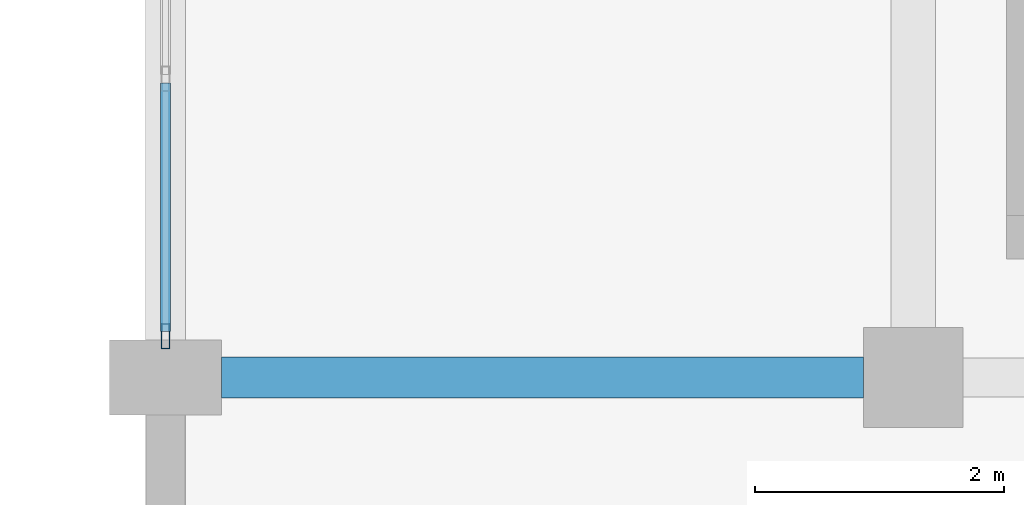
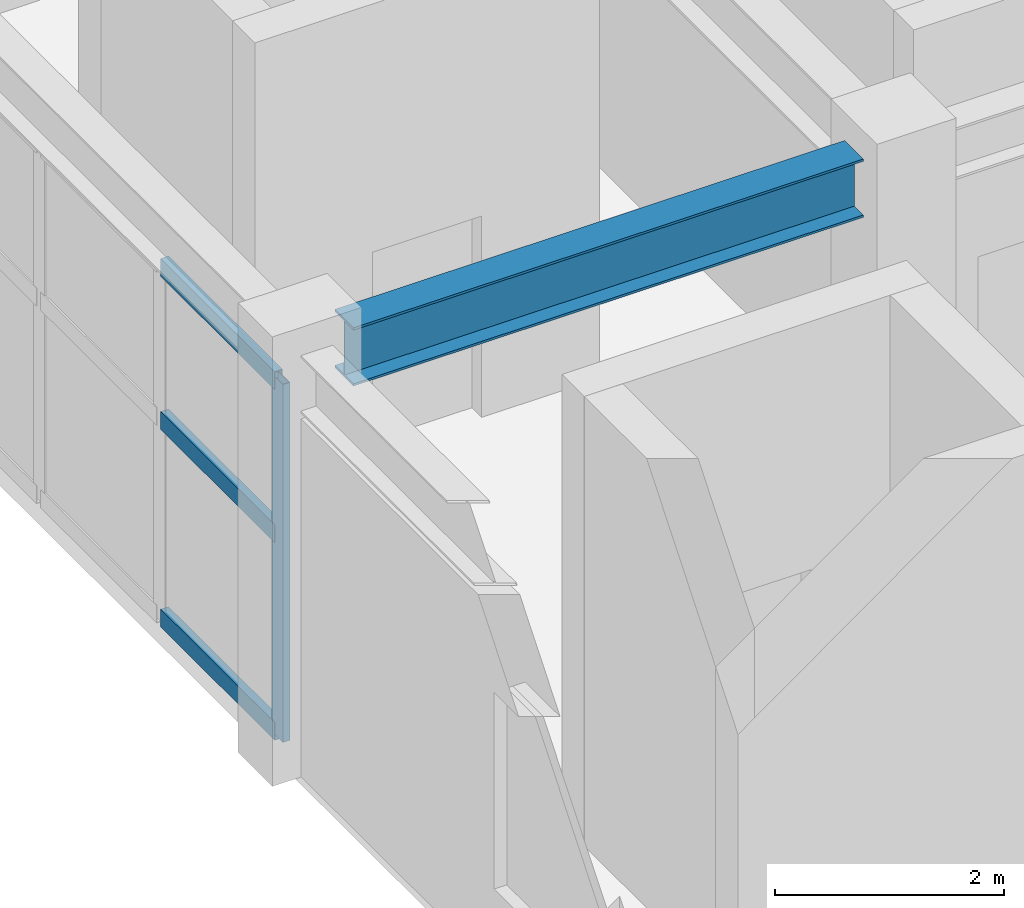
# One storey, part 7 of 96: 4 members, 1 beam, 1 element without a shape of its own.
"""IFC4 building model written with IfcOpenShell, lengths in metres."""

from ifc_helpers import new_model, si_unit, direction, frame, origin, origin_2d, place, context, subcontext, project, spatial, hollow_rectangle, i_section, extrude, material, layer, layer_set, material_profile, profile_set, type_object, element, aggregate, save


model = new_model("IFC4")

# Units and contexts
model_context = context("Model", 3, precision=1e-05, world=origin(), true_north=direction((0.0, 1.0)))
body_context = subcontext(model_context, "Body", "Model", "MODEL_VIEW")
ifc_project = project(units=[si_unit("LENGTHUNIT", "METRE"), si_unit("AREAUNIT", "SQUARE_METRE"), si_unit("VOLUMEUNIT", "CUBIC_METRE"), si_unit("PLANEANGLEUNIT", "RADIAN"), si_unit("MASSUNIT", "GRAM", prefix="KILO")], contexts=[model_context])

# Site, building, storey
site_placement = place(None, origin())
site = spatial("IfcSite", under=ifc_project, at=site_placement, CompositionType="ELEMENT")
building_placement = place(site_placement, origin())
building = spatial("IfcBuilding", under=site, at=building_placement, Name="Vaelkrest Opera House", CompositionType="ELEMENT")
storey_placement = place(building_placement, frame((0.0, 0.0, 5.39990234375)))
storey = spatial("IfcBuildingStorey", under=building, at=storey_placement, Name="L01", CompositionType="ELEMENT", Elevation=5.39990234375)

# Beam
ifc_material_1 = material(Name="Steel A992 Gr50", Category="steel")
ifc_material_profile_1 = material_profile(ifc_material_1, i_section(OverallWidth=0.326904296875, OverallDepth=0.6220703125, WebThickness=0.015380859375, FlangeThickness=0.0244140625, at=origin_2d()), Name="W24X131")
ifc_profile_set_1 = profile_set([ifc_material_profile_1], Name="Steel A992 Gr50")
beam_type = type_object("IfcBeamType", Name="B19", PredefinedType="BEAM", material=ifc_profile_set_1)
beam_placement = place(storey_placement, frame((-29.550048828125, -28.800048828125, 4.189208984375), z_axis=(1.0, 0.0, 0.0), x_axis=(0.0, 1.0, 0.0)))
element("IfcBeam", 1, at=beam_placement, inside=storey, type_object=beam_type, Name="Beam BM-V1-L01-0219", PredefinedType="BEAM", context=body_context, shape_type="SweptSolid", body=[
    extrude(i_section(OverallWidth=0.326904296875, OverallDepth=0.6220703125, WebThickness=0.015380859375, FlangeThickness=0.0244140625, at=origin_2d()), origin(), (0.0, 0.0, 1.0), 5.150146484375),
])

# Curtain wall, members
ifc_material_2 = material(Name="Dark bronze anodized aluminium", Category="aluminium")
ifc_layer = layer(ifc_material_2, 0.22998046875)
ifc_layer_set = layer_set([ifc_layer], Name="Dark bronze anodized aluminium")
curtain_wall_type = type_object("IfcCurtainWallType", Name="CW06", PredefinedType="NOTDEFINED", material=ifc_layer_set)
curtain_wall_placement = place(storey_placement, origin())
curtain_wall = element("IfcCurtainWall", 2, at=curtain_wall_placement, inside=storey, type_object=curtain_wall_type, Name="Curtain wall CW-L01-026", PredefinedType="NOTDEFINED")
ifc_material_profile_2 = material_profile(ifc_material_2, hollow_rectangle(XDim=0.070068359375, YDim=0.199951171875, WallThickness=0.004150390625, at=origin_2d()), Name="CWM70X200")
ifc_profile_set_2 = profile_set([ifc_material_profile_2], Name="Dark bronze anodized aluminium")
member_type_1 = type_object("IfcMemberType", Name="CWM02", PredefinedType="MULLION", material=ifc_profile_set_2)
member_1_placement = place(storey_placement, frame((-30.0, -28.467041015625, 0.0), z_axis=(0.0, 0.0, 1.0), x_axis=(-1.0, 0.0, 0.0)))
member_1 = element("IfcMember", 3, at=member_1_placement, type_object=member_type_1, Name="CW06 mullion 1", PredefinedType="MULLION", context=body_context, shape_type="SweptSolid", body=[
    extrude(hollow_rectangle(XDim=0.070068359375, YDim=0.199951171875, WallThickness=0.004150390625, at=origin_2d()), origin(), (0.0, 0.0, 1.0), 3.82421875),
])
ifc_material_profile_3 = material_profile(ifc_material_2, hollow_rectangle(XDim=0.080078125, YDim=0.18994140625, WallThickness=0.0048828125, at=origin_2d()), Name="CWT80X190")
ifc_profile_set_3 = profile_set([ifc_material_profile_3], Name="Dark bronze anodized aluminium")
member_type_2 = type_object("IfcMemberType", Name="CWT04", PredefinedType="USERDEFINED", material=ifc_profile_set_3)
member_2_placement = place(storey_placement, frame((-30.0, -28.431884765625, 0.0400390625), z_axis=(0.0, 1.0, 0.0), x_axis=(-1.0, 0.0, 0.0)))
member_2 = element("IfcMember", 4, at=member_2_placement, type_object=member_type_2, Name="CW06 transom 1.1", ObjectType="TRANSOM", PredefinedType="USERDEFINED", context=body_context, shape_type="SweptSolid", body=[
    extrude(hollow_rectangle(XDim=0.080078125, YDim=0.18994140625, WallThickness=0.0048828125, at=origin_2d()), origin(), (0.0, 0.0, 1.0), 1.995849609375),
])
member_3_placement = place(storey_placement, frame((-30.0, -28.431884765625, 2.150146484375), z_axis=(0.0, 1.0, 0.0), x_axis=(-1.0, 0.0, 0.0)))
member_3 = element("IfcMember", 5, at=member_3_placement, type_object=member_type_2, Name="CW06 transom 1.2", ObjectType="TRANSOM", PredefinedType="USERDEFINED", context=body_context, shape_type="SweptSolid", body=[
    extrude(hollow_rectangle(XDim=0.080078125, YDim=0.18994140625, WallThickness=0.0048828125, at=origin_2d()), origin(), (0.0, 0.0, 1.0), 1.995849609375),
])
member_4_placement = place(storey_placement, frame((-30.0, -28.431884765625, 3.7841796875), z_axis=(0.0, 1.0, 0.0), x_axis=(-1.0, 0.0, 0.0)))
member_4 = element("IfcMember", 6, at=member_4_placement, type_object=member_type_2, Name="CW06 transom 1.3", ObjectType="TRANSOM", PredefinedType="USERDEFINED", context=body_context, shape_type="SweptSolid", body=[
    extrude(hollow_rectangle(XDim=0.080078125, YDim=0.18994140625, WallThickness=0.0048828125, at=origin_2d()), origin(), (0.0, 0.0, 1.0), 1.995849609375),
])
aggregate(curtain_wall, [member_1, member_2, member_3, member_4])

save(model, "model.ifc")
